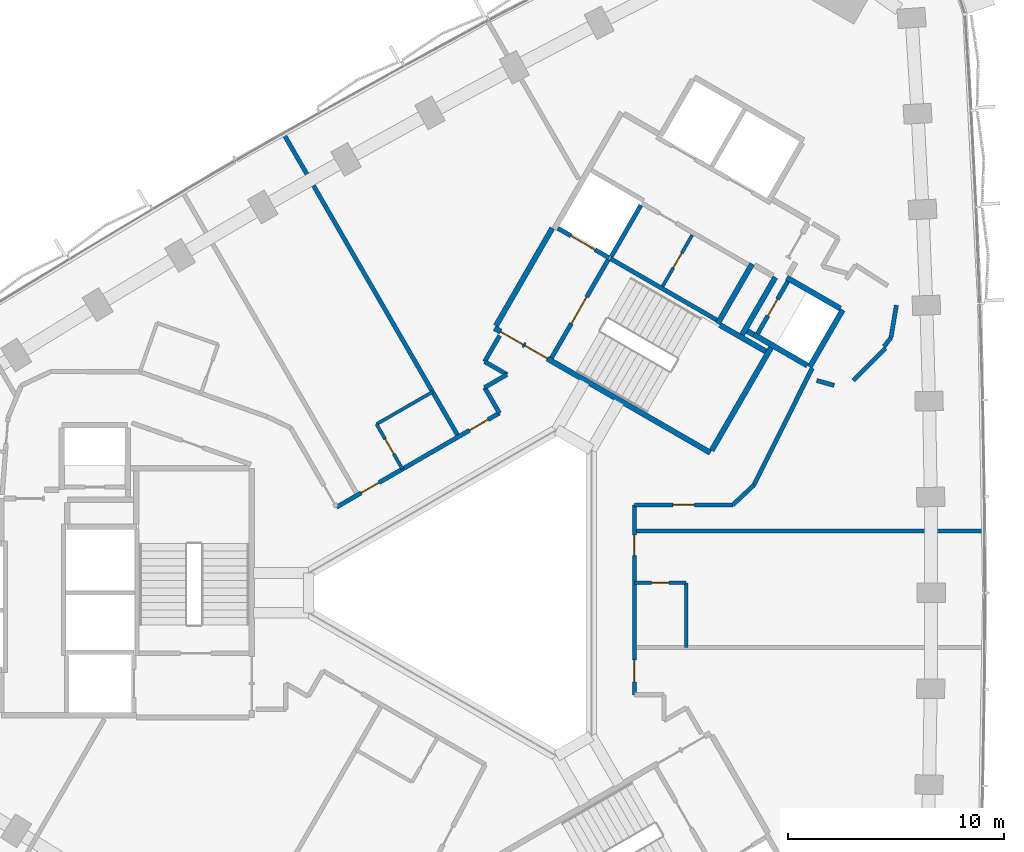
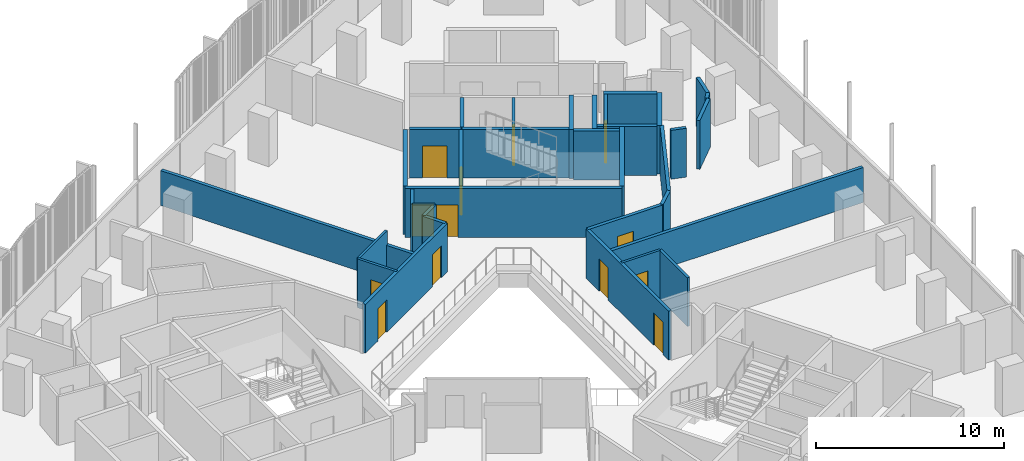
# One storey, part 10 of 15: 35 walls, 13 doors, 13 openings.
"""IFC4 building model written with IfcOpenShell, lengths in metres."""

from ifc_helpers import new_model, si_unit, direction, frame, frame_2d, origin, place, context, subcontext, project, spatial, rectangle, extrude, material, layer, layer_set, type_object, element, fill, save


model = new_model("IFC4")

# Units and contexts
model_context = context("Model", 3, precision=1e-05, world=origin(), true_north=direction((0.0, 1.0)))
body_context = subcontext(model_context, "Body", "Model", "MODEL_VIEW")
ifc_project = project(units=[si_unit("LENGTHUNIT", "METRE"), si_unit("AREAUNIT", "SQUARE_METRE"), si_unit("VOLUMEUNIT", "CUBIC_METRE"), si_unit("PLANEANGLEUNIT", "RADIAN"), si_unit("MASSUNIT", "GRAM", prefix="KILO")], contexts=[model_context])

# Site, building, storey
site_placement = place(None, origin())
site = spatial("IfcSite", under=ifc_project, at=site_placement, CompositionType="ELEMENT")
building_placement = place(site_placement, origin())
building = spatial("IfcBuilding", under=site, at=building_placement, Name="Tamra Quay Hotel Tower", CompositionType="ELEMENT")
storey_placement = place(building_placement, frame((0.0, 0.0, 90.199951171875)))
storey = spatial("IfcBuildingStorey", under=building, at=storey_placement, Name="L21", CompositionType="ELEMENT", Elevation=90.199951171875)

# Wall
ifc_material_1 = material(Name="Concrete M70", Category="concrete")
ifc_layer_1 = layer(ifc_material_1, 0.199951171875)
ifc_layer_set_1 = layer_set([ifc_layer_1], Name="Concrete M70 core wall 200")
wall_type_1 = type_object("IfcWallType", Name="Concrete M70 core wall 200", PredefinedType="SHEAR", material=ifc_layer_set_1)
wall_1_placement = place(storey_placement, frame((5.774658203125, 15.501953125, 0.0), z_axis=(0.0, 0.0, 1.0), x_axis=(0.866020080793, -0.500009219579, 0.0)))
element("IfcWall", 1, at=wall_1_placement, inside=storey, type_object=wall_type_1, Name="CW2", PredefinedType="SHEAR", context=body_context, shape_type="SweptSolid", body=[
    extrude(rectangle(XDim=5.69921875, YDim=0.199951171875, at=frame_2d((2.849609375, 0.0))), origin(), (0.0, 0.0, 1.0), 3.175048828125),
])

# Wall, opening, door
wall_2_placement = place(storey_placement, frame((3.056640625, 10.89453125, 0.0), z_axis=(0.0, 0.0, 1.0), x_axis=(0.499989418164, 0.866031513124, 0.0)))
wall_2 = element("IfcWall", 2, at=wall_2_placement, inside=storey, type_object=wall_type_1, Name="CW2", PredefinedType="SHEAR", context=body_context, shape_type="SweptSolid", body=[
    extrude(rectangle(XDim=5.2509765625, YDim=0.199951171875, at=frame_2d((2.62548828125, 0.0))), origin(), (0.0, 0.0, 1.0), 3.175048828125),
])
opening_1_placement = place(wall_2_placement, frame((1.84912109375, 0.0, 0.0)))
opening_1 = element("IfcOpeningElement", 3, at=opening_1_placement, cuts=wall_2, Name="Opening FD2", PredefinedType="OPENING", context=body_context, shape_type="SweptSolid", body=[
    extrude(rectangle(XDim=1.39990234375, YDim=2.10009765625, at=frame_2d((0.699951171875, 1.050048828125))), frame((0.0, 0.10986328125, 0.0), z_axis=(0.0, -1.0, 0.0), x_axis=(1.0, 0.0, 0.0)), (0.0, 0.0, 1.0), 0.219970703125),
])
ifc_material_2 = material(Name="Core door FD2 1400x2100 RH")
door_type_1 = type_object("IfcDoorType", Name="Core door FD2 1400x2100 RH", OperationType="NOTDEFINED", PredefinedType="DOOR", material=ifc_material_2)
door_1_placement = place(opening_1_placement, origin())
door_1 = element("IfcDoor", 4, at=door_1_placement, inside=storey, type_object=door_type_1, Name="FD2", OperationType="SINGLE_SWING_RIGHT", OverallHeight=2.10009765625, OverallWidth=1.39990234375, PredefinedType="DOOR", context=body_context, shape_type="SweptSolid", body=[
    extrude(rectangle(XDim=1.39990234375, YDim=2.10009765625, at=frame_2d((0.699951171875, 1.050048828125))), frame((0.0, 0.02490234375, 0.0), z_axis=(0.0, -1.0, 0.0), x_axis=(1.0, 0.0, 0.0)), (0.0, 0.0, 1.0), 0.050048828125),
])
fill(opening_1, door_1)

wall_3_placement = place(storey_placement, frame((14.0078125, 14.442138671875, 0.0), z_axis=(0.0, 0.0, 1.0), x_axis=(-0.499986818241, -0.866033014143, 0.0)))
wall_3 = element("IfcWall", 5, at=wall_3_placement, inside=storey, type_object=wall_type_1, Name="CW2", PredefinedType="SHEAR", context=body_context, shape_type="SweptSolid", body=[
    extrude(rectangle(XDim=2.7978515625, YDim=0.199951171875, at=frame_2d((1.39892578125, 0.0))), origin(), (0.0, 0.0, 1.0), 3.175048828125),
])
opening_2_placement = place(wall_3_placement, frame((0.948974609375, 0.0, 0.0)))
opening_2 = element("IfcOpeningElement", 6, at=opening_2_placement, cuts=wall_3, Name="Opening D1", PredefinedType="OPENING", context=body_context, shape_type="SweptSolid", body=[
    extrude(rectangle(XDim=0.89990234375, YDim=2.10009765625, at=frame_2d((0.449951171875, 1.050048828125))), frame((0.0, 0.10986328125, 0.0), z_axis=(0.0, -1.0, 0.0), x_axis=(1.0, 0.0, 0.0)), (0.0, 0.0, 1.0), 0.219970703125),
])
ifc_material_3 = material(Name="Core door D1 900x2100 RH")
door_type_2 = type_object("IfcDoorType", Name="Core door D1 900x2100 RH", OperationType="NOTDEFINED", PredefinedType="DOOR", material=ifc_material_3)
door_2_placement = place(opening_2_placement, origin())
door_2 = element("IfcDoor", 7, at=door_2_placement, inside=storey, type_object=door_type_2, Name="D1", OperationType="SINGLE_SWING_RIGHT", OverallHeight=2.10009765625, OverallWidth=0.89990234375, PredefinedType="DOOR", context=body_context, shape_type="SweptSolid", body=[
    extrude(rectangle(XDim=0.89990234375, YDim=2.10009765625, at=frame_2d((0.449951171875, 1.050048828125))), frame((0.0, 0.02490234375, 0.0), z_axis=(0.0, -1.0, 0.0), x_axis=(1.0, 0.0, 0.0)), (0.0, 0.0, 1.0), 0.050048828125),
])
fill(opening_2, door_2)

# Wall
wall_4_placement = place(storey_placement, frame((7.199462890625, 17.969970703125, 0.0), z_axis=(0.0, 0.0, 1.0), x_axis=(-0.499968400327, -0.866043647095, 0.0)))
element("IfcWall", 8, at=wall_4_placement, inside=storey, type_object=wall_type_1, Name="CW2", PredefinedType="SHEAR", context=body_context, shape_type="SweptSolid", body=[
    extrude(rectangle(XDim=2.749755859375, YDim=0.199951171875, at=frame_2d((1.375, 0.0))), origin(), (0.0, 0.0, 1.0), 3.175048828125),
])

# Wall, opening, door
wall_5_placement = place(storey_placement, frame((5.72509765625, 15.530517578125, 0.0), z_axis=(0.0, 0.0, 1.0), x_axis=(-0.866037306777, 0.499979382845, 0.0)))
wall_5 = element("IfcWall", 9, at=wall_5_placement, inside=storey, type_object=wall_type_1, Name="CW2", PredefinedType="SHEAR", context=body_context, shape_type="SweptSolid", body=[
    extrude(rectangle(XDim=2.74169921875, YDim=0.199951171875, at=frame_2d((1.370849609375, 0.0))), origin(), (0.0, 0.0, 1.0), 3.175048828125),
])
opening_3_placement = place(wall_5_placement, frame((0.742919921875, 0.0, 0.0)))
opening_3 = element("IfcOpeningElement", 10, at=opening_3_placement, cuts=wall_5, Name="Opening LD", PredefinedType="OPENING", context=body_context, shape_type="SweptSolid", body=[
    extrude(rectangle(XDim=1.300048828125, YDim=2.10009765625, at=frame_2d((0.64990234375, 1.050048828125))), frame((0.0, 0.10986328125, 0.0), z_axis=(0.0, -1.0, 0.0), x_axis=(1.0, 0.0, 0.0)), (0.0, 0.0, 1.0), 0.219970703125),
])
ifc_material_4 = material(Name="Landing door LD 1300 sliding to right")
door_type_3 = type_object("IfcDoorType", Name="Landing door LD 1300 sliding to right", OperationType="NOTDEFINED", PredefinedType="DOOR", material=ifc_material_4)
door_3_placement = place(opening_3_placement, origin())
door_3 = element("IfcDoor", 11, at=door_3_placement, inside=storey, type_object=door_type_3, Name="LD", OperationType="SLIDING_TO_RIGHT", OverallHeight=2.10009765625, OverallWidth=1.300048828125, PredefinedType="DOOR", context=body_context, shape_type="SweptSolid", body=[
    extrude(rectangle(XDim=1.300048828125, YDim=2.10009765625, at=frame_2d((0.64990234375, 1.050048828125))), frame((0.0, 0.02490234375, 0.0), z_axis=(0.0, -1.0, 0.0), x_axis=(1.0, 0.0, 0.0)), (0.0, 0.0, 1.0), 0.050048828125),
])
fill(opening_3, door_3)

# Wall, openings, doors
ifc_layer_2 = layer(ifc_material_1, 0.25)
ifc_layer_set_2 = layer_set([ifc_layer_2], Name="Concrete M70 core wall 250")
wall_type_2 = type_object("IfcWallType", Name="Concrete M70 core wall 250", PredefinedType="SHEAR", material=ifc_layer_set_2)
wall_6_placement = place(storey_placement, frame((10.419921875, 6.497802734375, 0.0), z_axis=(0.0, 0.0, 1.0), x_axis=(-0.866021906294, 0.500006057782, 0.0)))
wall_6 = element("IfcWall", 12, at=wall_6_placement, inside=storey, type_object=wall_type_2, Name="CW1", PredefinedType="SHEAR", context=body_context, shape_type="SweptSolid", body=[
    extrude(rectangle(XDim=11.550048828125, YDim=0.25, at=frame_2d((5.77490234375, 0.0))), origin(), (0.0, 0.0, 1.0), 3.175048828125),
])
opening_4_placement = place(wall_6_placement, frame((10.02490234375, 0.0, 0.0)))
opening_4 = element("IfcOpeningElement", 13, at=opening_4_placement, cuts=wall_6, Name="Opening FD1", PredefinedType="OPENING", context=body_context, shape_type="SweptSolid", body=[
    extrude(rectangle(XDim=1.199951171875, YDim=2.10009765625, at=frame_2d((0.60009765625, 1.050048828125))), frame((0.0, 0.135009765625, 0.0), z_axis=(0.0, -1.0, 0.0), x_axis=(1.0, 0.0, 0.0)), (0.0, 0.0, 1.0), 0.27001953125),
])
opening_5_placement = place(wall_6_placement, frame((8.724853515625, 0.0, 0.0)))
opening_5 = element("IfcOpeningElement", 14, at=opening_5_placement, cuts=wall_6, Name="Opening FD1", PredefinedType="OPENING", context=body_context, shape_type="SweptSolid", body=[
    extrude(rectangle(XDim=1.199951171875, YDim=2.10009765625, at=frame_2d((0.60009765625, 1.050048828125))), frame((0.0, 0.135009765625, 0.0), z_axis=(0.0, -1.0, 0.0), x_axis=(1.0, 0.0, 0.0)), (0.0, 0.0, 1.0), 0.27001953125),
])
ifc_material_5 = material(Name="Core door FD1 1200x2100 LH")
door_type_4 = type_object("IfcDoorType", Name="Core door FD1 1200x2100 LH", OperationType="NOTDEFINED", PredefinedType="DOOR", material=ifc_material_5)
door_4_placement = place(opening_4_placement, origin())
door_4 = element("IfcDoor", 15, at=door_4_placement, inside=storey, type_object=door_type_4, Name="FD1", OperationType="SINGLE_SWING_LEFT", OverallHeight=2.10009765625, OverallWidth=1.199951171875, PredefinedType="DOOR", context=body_context, shape_type="SweptSolid", body=[
    extrude(rectangle(XDim=1.199951171875, YDim=2.10009765625, at=frame_2d((0.60009765625, 1.050048828125))), frame((0.0, 0.02490234375, 0.0), z_axis=(0.0, -1.0, 0.0), x_axis=(1.0, 0.0, 0.0)), (0.0, 0.0, 1.0), 0.050048828125),
])
fill(opening_4, door_4)
ifc_material_6 = material(Name="Core door FD1 1200x2100 RH")
door_type_5 = type_object("IfcDoorType", Name="Core door FD1 1200x2100 RH", OperationType="NOTDEFINED", PredefinedType="DOOR", material=ifc_material_6)
door_5_placement = place(opening_5_placement, origin())
door_5 = element("IfcDoor", 16, at=door_5_placement, inside=storey, type_object=door_type_5, Name="FD1", OperationType="SINGLE_SWING_RIGHT", OverallHeight=2.10009765625, OverallWidth=1.199951171875, PredefinedType="DOOR", context=body_context, shape_type="SweptSolid", body=[
    extrude(rectangle(XDim=1.199951171875, YDim=2.10009765625, at=frame_2d((0.60009765625, 1.050048828125))), frame((0.0, 0.02490234375, 0.0), z_axis=(0.0, -1.0, 0.0), x_axis=(1.0, 0.0, 0.0)), (0.0, 0.0, 1.0), 0.050048828125),
])
fill(opening_5, door_5)

# Walls
wall_7_placement = place(storey_placement, frame((0.47998046875, 12.38134765625, 0.0), z_axis=(0.0, 0.0, 1.0), x_axis=(0.49999885962, 0.866026062182, 0.0)))
element("IfcWall", 17, at=wall_7_placement, inside=storey, type_object=wall_type_2, Name="CW1", PredefinedType="SHEAR", context=body_context, shape_type="SweptSolid", body=[
    extrude(rectangle(XDim=5.224609375, YDim=0.25, at=frame_2d((2.6123046875, 0.0))), origin(), (0.0, 0.0, 1.0), 3.175048828125),
])
wall_8_placement = place(storey_placement, frame((13.237548828125, 11.3779296875, 0.0), z_axis=(0.0, 0.0, 1.0), x_axis=(-0.500008851346, -0.866020293397, 0.0)))
element("IfcWall", 18, at=wall_8_placement, inside=storey, type_object=wall_type_2, Name="CW1", PredefinedType="SHEAR", context=body_context, shape_type="SweptSolid", body=[
    extrude(rectangle(XDim=5.509765625, YDim=0.25, at=frame_2d((2.7548828125, 0.0))), origin(), (0.0, 0.0, 1.0), 3.175048828125),
])
wall_9_placement = place(storey_placement, frame((12.356689453125, 15.25244140625, 0.0), z_axis=(0.0, 0.0, 1.0), x_axis=(-0.500028443584, -0.866008981251, 0.0)))
element("IfcWall", 19, at=wall_9_placement, inside=storey, type_object=wall_type_2, Name="CW1", PredefinedType="SHEAR", context=body_context, shape_type="SweptSolid", body=[
    extrude(rectangle(XDim=3.199951171875, YDim=0.25, at=frame_2d((1.60009765625, 0.0))), origin(), (0.0, 0.0, 1.0), 3.175048828125),
])
wall_10_placement = place(storey_placement, frame((16.552001953125, 13.118896484375, 0.0), z_axis=(0.0, 0.0, 1.0), x_axis=(-0.499978833458, -0.866037623948, 0.0)))
element("IfcWall", 20, at=wall_10_placement, inside=storey, type_object=wall_type_2, Name="CW1", PredefinedType="SHEAR", context=body_context, shape_type="SweptSolid", body=[
    extrude(rectangle(XDim=3.050048828125, YDim=0.25, at=frame_2d((1.52490234375, 0.0))), origin(), (0.0, 0.0, 1.0), 3.175048828125),
])
wall_11_placement = place(storey_placement, frame((14.91845703125, 10.540283203125, 0.0), z_axis=(0.0, 0.0, 1.0), x_axis=(-0.866063538972, 0.499933942099, 0.0)))
element("IfcWall", 21, at=wall_11_placement, inside=storey, type_object=wall_type_2, Name="CW1", PredefinedType="SHEAR", context=body_context, shape_type="SweptSolid", body=[
    extrude(rectangle(XDim=2.86474609375, YDim=0.25, at=frame_2d((1.432373046875, 0.0))), origin(), (0.0, 0.0, 1.0), 3.175048828125),
])
wall_12_placement = place(storey_placement, frame((13.962646484375, 14.61376953125, 0.0), z_axis=(0.0, 0.0, 1.0), x_axis=(0.866042235819, -0.499970844928, 0.0)))
element("IfcWall", 22, at=wall_12_placement, inside=storey, type_object=wall_type_2, Name="CW1", PredefinedType="SHEAR", context=body_context, shape_type="SweptSolid", body=[
    extrude(rectangle(XDim=2.864501953125, YDim=0.25, at=frame_2d((1.43212890625, 0.0))), origin(), (0.0, 0.0, 1.0), 3.175048828125),
])
wall_13_placement = place(storey_placement, frame((11.887939453125, 11.960693359375, 0.0), z_axis=(0.0, 0.0, 1.0), x_axis=(0.500003324108, 0.866023484601, 0.0)))
element("IfcWall", 23, at=wall_13_placement, inside=storey, type_object=wall_type_2, Name="CW1", PredefinedType="SHEAR", context=body_context, shape_type="SweptSolid", body=[
    extrude(rectangle(XDim=3.0849609375, YDim=0.25, at=frame_2d((1.54248046875, 0.0))), origin(), (0.0, 0.0, 1.0), 3.175048828125),
])
wall_14_placement = place(storey_placement, frame((10.865234375, 12.41845703125, 0.0), z_axis=(0.0, 0.0, 1.0), x_axis=(0.866026229868, -0.499998569178, 0.0)))
element("IfcWall", 24, at=wall_14_placement, inside=storey, type_object=wall_type_2, Name="CW1", PredefinedType="SHEAR", context=body_context, shape_type="SweptSolid", body=[
    extrude(rectangle(XDim=2.44921875, YDim=0.25, at=frame_2d((1.224609375, 0.0))), origin(), (0.0, 0.0, 1.0), 3.175048828125),
])
wall_15_placement = place(storey_placement, frame((12.4326171875, 11.9638671875, 0.0), z_axis=(0.0, 0.0, 1.0), x_axis=(-0.866055875208, 0.499947218231, 0.0)))
element("IfcWall", 25, at=wall_15_placement, inside=storey, type_object=wall_type_2, Name="CW1", PredefinedType="SHEAR", context=body_context, shape_type="SweptSolid", body=[
    extrude(rectangle(XDim=0.3447265625, YDim=0.25, at=frame_2d((0.17236328125, 0.0))), origin(), (0.0, 0.0, 1.0), 3.175048828125),
])

# Wall, opening, door
ifc_material_7 = material(Name="Blockwork", Category="masonry")
ifc_layer_3 = layer(ifc_material_7, 0.14990234375)
ifc_layer_set_3 = layer_set([ifc_layer_3], Name="Core partition block 150")
wall_type_3 = type_object("IfcWallType", Name="Core partition block 150", PredefinedType="PARTITIONING", material=ifc_layer_set_3)
wall_16_placement = place(storey_placement, frame((8.20654296875, 14.214111328125, 0.0), z_axis=(0.0, 0.0, 1.0), x_axis=(0.499922376475, 0.866070215109, 0.0)))
wall_16 = element("IfcWall", 26, at=wall_16_placement, inside=storey, type_object=wall_type_3, Name="CP1", PredefinedType="PARTITIONING", context=body_context, shape_type="SweptSolid", body=[
    extrude(rectangle(XDim=2.74853515625, YDim=0.14990234375, at=frame_2d((1.374267578125, 0.0))), origin(), (0.0, 0.0, 1.0), 3.175048828125),
])
opening_6_placement = place(wall_16_placement, frame((0.97412109375, 0.0, 0.0)))
opening_6 = element("IfcOpeningElement", 27, at=opening_6_placement, cuts=wall_16, Name="Opening D3", PredefinedType="OPENING", context=body_context, shape_type="SweptSolid", body=[
    extrude(rectangle(XDim=0.800048828125, YDim=2.10009765625, at=frame_2d((0.39990234375, 1.050048828125))), frame((0.0, 0.0849609375, 0.0), z_axis=(0.0, -1.0, 0.0), x_axis=(1.0, 0.0, 0.0)), (0.0, 0.0, 1.0), 0.169921875),
])
ifc_material_8 = material(Name="Core door D3 800x2100 LH")
door_type_6 = type_object("IfcDoorType", Name="Core door D3 800x2100 LH", OperationType="NOTDEFINED", PredefinedType="DOOR", material=ifc_material_8)
door_6_placement = place(opening_6_placement, origin())
door_6 = element("IfcDoor", 28, at=door_6_placement, inside=storey, type_object=door_type_6, Name="D3", OperationType="SINGLE_SWING_LEFT", OverallHeight=2.10009765625, OverallWidth=0.800048828125, PredefinedType="DOOR", context=body_context, shape_type="SweptSolid", body=[
    extrude(rectangle(XDim=0.800048828125, YDim=2.10009765625, at=frame_2d((0.39990234375, 1.050048828125))), frame((0.0, 0.02490234375, 0.0), z_axis=(0.0, -1.0, 0.0), x_axis=(1.0, 0.0, 0.0)), (0.0, 0.0, 1.0), 0.050048828125),
])
fill(opening_6, door_6)

# Wall, openings, doors
ifc_material_9 = material(Name="Partition corridor wall")
ifc_layer_4 = layer(ifc_material_9, 0.199951171875)
ifc_layer_set_4 = layer_set([ifc_layer_4], Name="Partition corridor wall")
wall_type_4 = type_object("IfcWallType", Name="Partition corridor wall", PredefinedType="PARTITIONING", material=ifc_layer_set_4)
wall_17_placement = place(storey_placement, frame((-6.909912109375, 3.975341796875, 0.0), z_axis=(0.0, 0.0, 1.0), x_axis=(0.865912245405, 0.500195944863, 0.0)))
wall_17 = element("IfcWall", 29, at=wall_17_placement, inside=storey, type_object=wall_type_4, Name="W-C", PredefinedType="PARTITIONING", context=body_context, shape_type="SweptSolid", body=[
    extrude(rectangle(XDim=8.7177734375, YDim=0.199951171875, at=frame_2d((4.35888671875, 0.0))), origin(), (0.0, 0.0, 1.0), 3.175048828125),
])
opening_7_placement = place(wall_17_placement, frame((7.117431640625, 0.0, 0.0)))
opening_7 = element("IfcOpeningElement", 30, at=opening_7_placement, cuts=wall_17, Name="Opening L21-D005", PredefinedType="OPENING", context=body_context, shape_type="SweptSolid", body=[
    extrude(rectangle(XDim=1.0, YDim=2.10009765625, at=frame_2d((0.5, 1.050048828125))), frame((0.0, 0.10986328125, 0.0), z_axis=(0.0, -1.0, 0.0), x_axis=(1.0, 0.0, 0.0)), (0.0, 0.0, 1.0), 0.219970703125),
])
opening_8_placement = place(wall_17_placement, frame((1.31689453125, 0.0, 0.0)))
opening_8 = element("IfcOpeningElement", 31, at=opening_8_placement, cuts=wall_17, Name="Opening L21-D006", PredefinedType="OPENING", context=body_context, shape_type="SweptSolid", body=[
    extrude(rectangle(XDim=0.949951171875, YDim=2.10009765625, at=frame_2d((0.47509765625, 1.050048828125))), frame((0.0, 0.10986328125, 0.0), z_axis=(0.0, -1.0, 0.0), x_axis=(1.0, 0.0, 0.0)), (0.0, 0.0, 1.0), 0.219970703125),
])
ifc_material_10 = material(Name="Door guest room 1000x2100")
door_type_7 = type_object("IfcDoorType", Name="Door guest room 1000x2100", OperationType="NOTDEFINED", PredefinedType="DOOR", material=ifc_material_10)
door_7_placement = place(opening_7_placement, origin())
door_7 = element("IfcDoor", 32, at=door_7_placement, inside=storey, type_object=door_type_7, Name="L21-D005", OperationType="SINGLE_SWING_LEFT", OverallHeight=2.10009765625, OverallWidth=1.0, PredefinedType="DOOR", context=body_context, shape_type="SweptSolid", body=[
    extrude(rectangle(XDim=1.0, YDim=2.10009765625, at=frame_2d((0.5, 1.050048828125))), frame((0.0, 0.02490234375, 0.0), z_axis=(0.0, -1.0, 0.0), x_axis=(1.0, 0.0, 0.0)), (0.0, 0.0, 1.0), 0.050048828125),
])
fill(opening_7, door_7)
ifc_material_11 = material(Name="Door guest room 950x2100")
door_type_8 = type_object("IfcDoorType", Name="Door guest room 950x2100", OperationType="NOTDEFINED", PredefinedType="DOOR", material=ifc_material_11)
door_8_placement = place(opening_8_placement, origin())
door_8 = element("IfcDoor", 33, at=door_8_placement, inside=storey, type_object=door_type_8, Name="L21-D006", OperationType="SINGLE_SWING_LEFT", OverallHeight=2.10009765625, OverallWidth=0.949951171875, PredefinedType="DOOR", context=body_context, shape_type="SweptSolid", body=[
    extrude(rectangle(XDim=0.949951171875, YDim=2.10009765625, at=frame_2d((0.47509765625, 1.050048828125))), frame((0.0, 0.02490234375, 0.0), z_axis=(0.0, -1.0, 0.0), x_axis=(1.0, 0.0, 0.0)), (0.0, 0.0, 1.0), 0.050048828125),
])
fill(opening_8, door_8)

# Walls
wall_18_placement = place(storey_placement, frame((-0.044921875, 9.52099609375, 0.0), z_axis=(0.0, 0.0, 1.0), x_axis=(0.499804837697, -0.866138051476, 0.0)))
element("IfcWall", 34, at=wall_18_placement, inside=storey, type_object=wall_type_4, Name="W-C", PredefinedType="PARTITIONING", context=body_context, shape_type="SweptSolid", body=[
    extrude(rectangle(XDim=1.3681640625, YDim=0.199951171875, at=frame_2d((0.68408203125, 0.0))), origin(), (0.0, 0.0, 1.0), 3.175048828125),
])
wall_19_placement = place(storey_placement, frame((-0.044921875, 9.52197265625, 0.0), z_axis=(0.0, 0.0, 1.0), x_axis=(0.86625675314, 0.499599076899, 0.0)))
element("IfcWall", 35, at=wall_19_placement, inside=storey, type_object=wall_type_4, Name="W-C", PredefinedType="PARTITIONING", context=body_context, shape_type="SweptSolid", body=[
    extrude(rectangle(XDim=1.19921875, YDim=0.199951171875, at=frame_2d((0.599609375, 0.0))), origin(), (0.0, 0.0, 1.0), 3.175048828125),
])
wall_20_placement = place(storey_placement, frame((-0.044921875, 10.721923828125, 0.0), z_axis=(0.0, 0.0, 1.0), x_axis=(0.500107785535, 0.865963164833, 0.0)))
element("IfcWall", 36, at=wall_20_placement, inside=storey, type_object=wall_type_4, Name="W-C", PredefinedType="PARTITIONING", context=body_context, shape_type="SweptSolid", body=[
    extrude(rectangle(XDim=1.389404296875, YDim=0.199951171875, at=frame_2d((0.69482421875, 0.0))), origin(), (0.0, 0.0, 1.0), 3.175048828125),
])
wall_21_placement = place(storey_placement, frame((-0.044921875, 10.720947265625, 0.0), z_axis=(0.0, 0.0, 1.0), x_axis=(0.865992388649, -0.500057179532, 0.0)))
element("IfcWall", 37, at=wall_21_placement, inside=storey, type_object=wall_type_4, Name="W-C", PredefinedType="PARTITIONING", context=body_context, shape_type="SweptSolid", body=[
    extrude(rectangle(XDim=1.199462890625, YDim=0.199951171875, at=frame_2d((0.599609375, 0.0))), origin(), (0.0, 0.0, 1.0), 3.175048828125),
])

# Wall, openings, doors
wall_22_placement = place(storey_placement, frame((6.89990234375, -4.720947265625, 0.0), z_axis=(0.0, 0.0, 1.0), x_axis=(0.0, 1.0, 0.0)))
wall_22 = element("IfcWall", 38, at=wall_22_placement, inside=storey, type_object=wall_type_4, Name="W-C", PredefinedType="PARTITIONING", context=body_context, shape_type="SweptSolid", body=[
    extrude(rectangle(XDim=8.798828125, YDim=0.199951171875, at=frame_2d((4.3994140625, 0.0))), origin(), (0.0, 0.0, 1.0), 3.175048828125),
])
opening_9_placement = place(wall_22_placement, frame((0.6005859375, 0.0, 0.0)))
opening_9 = element("IfcOpeningElement", 39, at=opening_9_placement, cuts=wall_22, Name="Opening L21-D001", PredefinedType="OPENING", context=body_context, shape_type="SweptSolid", body=[
    extrude(rectangle(XDim=1.0, YDim=2.10009765625, at=frame_2d((0.5, 1.050048828125))), frame((0.0, 0.10986328125, 0.0), z_axis=(0.0, -1.0, 0.0), x_axis=(1.0, 0.0, 0.0)), (0.0, 0.0, 1.0), 0.219970703125),
])
opening_10_placement = place(wall_22_placement, frame((6.450927734375, 0.0, 0.0)))
opening_10 = element("IfcOpeningElement", 40, at=opening_10_placement, cuts=wall_22, Name="Opening L21-D002", PredefinedType="OPENING", context=body_context, shape_type="SweptSolid", body=[
    extrude(rectangle(XDim=0.949951171875, YDim=2.10009765625, at=frame_2d((0.47509765625, 1.050048828125))), frame((0.0, 0.10986328125, 0.0), z_axis=(0.0, -1.0, 0.0), x_axis=(1.0, 0.0, 0.0)), (0.0, 0.0, 1.0), 0.219970703125),
])
door_9_placement = place(opening_9_placement, frame((1.0, 0.0, 0.0), z_axis=(0.0, 0.0, 1.0), x_axis=(-1.0, 0.0, 0.0)))
door_9 = element("IfcDoor", 41, at=door_9_placement, inside=storey, type_object=door_type_7, Name="L21-D001", OperationType="SINGLE_SWING_LEFT", OverallHeight=2.10009765625, OverallWidth=1.0, PredefinedType="DOOR", context=body_context, shape_type="SweptSolid", body=[
    extrude(rectangle(XDim=1.0, YDim=2.10009765625, at=frame_2d((0.5, 1.050048828125))), frame((0.0, 0.02490234375, 0.0), z_axis=(0.0, -1.0, 0.0), x_axis=(1.0, 0.0, 0.0)), (0.0, 0.0, 1.0), 0.050048828125),
])
fill(opening_9, door_9)
door_10_placement = place(opening_10_placement, frame((0.949951171875, 0.0, 0.0), z_axis=(0.0, 0.0, 1.0), x_axis=(-1.0, 0.0, 0.0)))
door_10 = element("IfcDoor", 42, at=door_10_placement, inside=storey, type_object=door_type_8, Name="L21-D002", OperationType="SINGLE_SWING_LEFT", OverallHeight=2.10009765625, OverallWidth=0.949951171875, PredefinedType="DOOR", context=body_context, shape_type="SweptSolid", body=[
    extrude(rectangle(XDim=0.949951171875, YDim=2.10009765625, at=frame_2d((0.47509765625, 1.050048828125))), frame((0.0, 0.02490234375, 0.0), z_axis=(0.0, -1.0, 0.0), x_axis=(1.0, 0.0, 0.0)), (0.0, 0.0, 1.0), 0.050048828125),
])
fill(opening_10, door_10)

# Wall, opening, door
wall_23_placement = place(storey_placement, frame((6.89990234375, 4.077880859375, 0.0), z_axis=(0.0, 0.0, 1.0), x_axis=(1.0, 0.0, 0.0)))
wall_23 = element("IfcWall", 43, at=wall_23_placement, inside=storey, type_object=wall_type_4, Name="W-C", PredefinedType="PARTITIONING", context=body_context, shape_type="SweptSolid", body=[
    extrude(rectangle(XDim=4.55810546875, YDim=0.199951171875, at=frame_2d((2.279052734375, 0.0))), origin(), (0.0, 0.0, 1.0), 3.175048828125),
])
opening_11_placement = place(wall_23_placement, frame((1.779052734375, 0.0, 0.0)))
opening_11 = element("IfcOpeningElement", 44, at=opening_11_placement, cuts=wall_23, Name="Opening L21-D004", PredefinedType="OPENING", context=body_context, shape_type="SweptSolid", body=[
    extrude(rectangle(XDim=1.0, YDim=2.10009765625, at=frame_2d((0.5, 1.050048828125))), frame((0.0, 0.10986328125, 0.0), z_axis=(0.0, -1.0, 0.0), x_axis=(1.0, 0.0, 0.0)), (0.0, 0.0, 1.0), 0.219970703125),
])
door_11_placement = place(opening_11_placement, origin())
door_11 = element("IfcDoor", 45, at=door_11_placement, inside=storey, type_object=door_type_7, Name="L21-D004", OperationType="SINGLE_SWING_LEFT", OverallHeight=2.10009765625, OverallWidth=1.0, PredefinedType="DOOR", context=body_context, shape_type="SweptSolid", body=[
    extrude(rectangle(XDim=1.0, YDim=2.10009765625, at=frame_2d((0.5, 1.050048828125))), frame((0.0, 0.02490234375, 0.0), z_axis=(0.0, -1.0, 0.0), x_axis=(1.0, 0.0, 0.0)), (0.0, 0.0, 1.0), 0.050048828125),
])
fill(opening_11, door_11)

# Walls
wall_24_placement = place(storey_placement, frame((11.4580078125, 4.077880859375, 0.0), z_axis=(0.0, 0.0, 1.0), x_axis=(0.729936032318, 0.683515463412, 0.0)))
element("IfcWall", 46, at=wall_24_placement, inside=storey, type_object=wall_type_4, Name="W-C", PredefinedType="PARTITIONING", context=body_context, shape_type="SweptSolid", body=[
    extrude(rectangle(XDim=1.3359375, YDim=0.199951171875, at=frame_2d((0.66796875, 0.0))), origin(), (0.0, 0.0, 1.0), 3.175048828125),
])
wall_25_placement = place(storey_placement, frame((12.43310546875, 4.991943359375, 0.0), z_axis=(0.0, 0.0, 1.0), x_axis=(0.446086961868, 0.894989621421, 0.0)))
element("IfcWall", 47, at=wall_25_placement, inside=storey, type_object=wall_type_4, Name="W-C", PredefinedType="PARTITIONING", context=body_context, shape_type="SweptSolid", body=[
    extrude(rectangle(XDim=6.069580078125, YDim=0.199951171875, at=frame_2d((3.03466796875, 0.0))), origin(), (0.0, 0.0, 1.0), 3.175048828125),
])
wall_26_placement = place(storey_placement, frame((15.35009765625, 9.846923828125, 0.0), z_axis=(0.0, 0.0, 1.0), x_axis=(0.961699438983, -0.274106163849, 0.0)))
element("IfcWall", 48, at=wall_26_placement, inside=storey, type_object=wall_type_4, Name="W-C", PredefinedType="PARTITIONING", context=body_context, shape_type="SweptSolid", body=[
    extrude(rectangle(XDim=0.839111328125, YDim=0.199951171875, at=frame_2d((0.41943359375, 0.0))), origin(), (0.0, 0.0, 1.0), 3.175048828125),
])
wall_27_placement = place(storey_placement, frame((17.041015625, 9.845947265625, 0.0), z_axis=(0.0, 0.0, 1.0), x_axis=(0.70687649077, 0.707336996627, 0.0)))
element("IfcWall", 49, at=wall_27_placement, inside=storey, type_object=wall_type_4, Name="W-C", PredefinedType="PARTITIONING", context=body_context, shape_type="SweptSolid", body=[
    extrude(rectangle(XDim=2.12060546875, YDim=0.199951171875, at=frame_2d((1.060302734375, 0.0))), origin(), (0.0, 0.0, 1.0), 3.175048828125),
])
wall_28_placement = place(storey_placement, frame((18.791015625, 11.833984375, 0.0), z_axis=(0.0, 0.0, 1.0), x_axis=(0.164294914443, 0.986411263667, 0.0)))
element("IfcWall", 50, at=wall_28_placement, inside=storey, type_object=wall_type_4, Name="W-C", PredefinedType="PARTITIONING", context=body_context, shape_type="SweptSolid", body=[
    extrude(rectangle(XDim=1.521728515625, YDim=0.199951171875, at=frame_2d((0.7607421875, 0.0))), origin(), (0.0, 0.0, 1.0), 3.175048828125),
])
wall_29_placement = place(storey_placement, frame((18.791015625, 11.833984375, 0.0), z_axis=(0.0, 0.0, 1.0), x_axis=(-0.610695554896, -0.791865480514, 0.0)))
element("IfcWall", 51, at=wall_29_placement, inside=storey, type_object=wall_type_4, Name="W-C", PredefinedType="PARTITIONING", context=body_context, shape_type="SweptSolid", body=[
    extrude(rectangle(XDim=0.52685546875, YDim=0.199951171875, at=frame_2d((0.263427734375, 0.0))), origin(), (0.0, 0.0, 1.0), 3.175048828125),
])

# Wall, opening, door
ifc_material_12 = material(Name="Partition en-suite wall")
ifc_layer_5 = layer(ifc_material_12, 0.14990234375)
ifc_layer_set_5 = layer_set([ifc_layer_5], Name="Partition en-suite wall")
wall_type_5 = type_object("IfcWallType", Name="Partition en-suite wall", PredefinedType="PARTITIONING", material=ifc_layer_set_5)
wall_30_placement = place(storey_placement, frame((-5.054931640625, 7.821044921875, 0.0), z_axis=(0.0, 0.0, 1.0), x_axis=(0.499869187296, -0.866100915363, 0.0)))
wall_30 = element("IfcWall", 52, at=wall_30_placement, inside=storey, type_object=wall_type_5, Name="W-E", PredefinedType="PARTITIONING", context=body_context, shape_type="SweptSolid", body=[
    extrude(rectangle(XDim=2.400634765625, YDim=0.14990234375, at=frame_2d((1.2001953125, 0.0))), origin(), (0.0, 0.0, 1.0), 3.175048828125),
])
opening_12_placement = place(wall_30_placement, frame((0.80029296875, 0.0, 0.0)))
opening_12 = element("IfcOpeningElement", 53, at=opening_12_placement, cuts=wall_30, Name="Opening L21-D007", PredefinedType="OPENING", context=body_context, shape_type="SweptSolid", body=[
    extrude(rectangle(XDim=0.800048828125, YDim=2.10009765625, at=frame_2d((0.39990234375, 1.050048828125))), frame((0.0, 0.0849609375, 0.0), z_axis=(0.0, -1.0, 0.0), x_axis=(1.0, 0.0, 0.0)), (0.0, 0.0, 1.0), 0.169921875),
])
ifc_material_13 = material(Name="Door en-suite 800x2100")
door_type_9 = type_object("IfcDoorType", Name="Door en-suite 800x2100", OperationType="NOTDEFINED", PredefinedType="DOOR", material=ifc_material_13)
door_12_placement = place(opening_12_placement, origin())
door_12 = element("IfcDoor", 54, at=door_12_placement, inside=storey, type_object=door_type_9, Name="L21-D007", OperationType="SINGLE_SWING_LEFT", OverallHeight=2.10009765625, OverallWidth=0.800048828125, PredefinedType="DOOR", context=body_context, shape_type="SweptSolid", body=[
    extrude(rectangle(XDim=0.800048828125, YDim=2.10009765625, at=frame_2d((0.39990234375, 1.050048828125))), frame((0.0, 0.02490234375, 0.0), z_axis=(0.0, -1.0, 0.0), x_axis=(1.0, 0.0, 0.0)), (0.0, 0.0, 1.0), 0.050048828125),
])
fill(opening_12, door_12)

# Wall
wall_31_placement = place(storey_placement, frame((-5.054931640625, 7.821044921875, 0.0), z_axis=(0.0, 0.0, 1.0), x_axis=(0.86615170604, 0.49978117424, 0.0)))
element("IfcWall", 55, at=wall_31_placement, inside=storey, type_object=wall_type_5, Name="W-E", PredefinedType="PARTITIONING", context=body_context, shape_type="SweptSolid", body=[
    extrude(rectangle(XDim=2.999267578125, YDim=0.14990234375, at=frame_2d((1.49951171875, 0.0))), origin(), (0.0, 0.0, 1.0), 3.175048828125),
])

# Wall, opening, door
wall_32_placement = place(storey_placement, frame((6.89990234375, 0.468017578125, 0.0), z_axis=(0.0, 0.0, 1.0), x_axis=(1.0, 0.0, 0.0)))
wall_32 = element("IfcWall", 56, at=wall_32_placement, inside=storey, type_object=wall_type_5, Name="W-E", PredefinedType="PARTITIONING", context=body_context, shape_type="SweptSolid", body=[
    extrude(rectangle(XDim=2.400146484375, YDim=0.14990234375, at=frame_2d((1.2001953125, 0.0))), origin(), (0.0, 0.0, 1.0), 3.175048828125),
])
opening_13_placement = place(wall_32_placement, frame((0.800048828125, 0.0, 0.0)))
opening_13 = element("IfcOpeningElement", 57, at=opening_13_placement, cuts=wall_32, Name="Opening L21-D003", PredefinedType="OPENING", context=body_context, shape_type="SweptSolid", body=[
    extrude(rectangle(XDim=0.800048828125, YDim=2.10009765625, at=frame_2d((0.39990234375, 1.050048828125))), frame((0.0, 0.0849609375, 0.0), z_axis=(0.0, -1.0, 0.0), x_axis=(1.0, 0.0, 0.0)), (0.0, 0.0, 1.0), 0.169921875),
])
door_13_placement = place(opening_13_placement, frame((0.800048828125, 0.0, 0.0), z_axis=(0.0, 0.0, 1.0), x_axis=(-1.0, 0.0, 0.0)))
door_13 = element("IfcDoor", 58, at=door_13_placement, inside=storey, type_object=door_type_9, Name="L21-D003", OperationType="SINGLE_SWING_LEFT", OverallHeight=2.10009765625, OverallWidth=0.800048828125, PredefinedType="DOOR", context=body_context, shape_type="SweptSolid", body=[
    extrude(rectangle(XDim=0.800048828125, YDim=2.10009765625, at=frame_2d((0.39990234375, 1.050048828125))), frame((0.0, 0.02490234375, 0.0), z_axis=(0.0, -1.0, 0.0), x_axis=(1.0, 0.0, 0.0)), (0.0, 0.0, 1.0), 0.050048828125),
])
fill(opening_13, door_13)

# Walls
wall_33_placement = place(storey_placement, frame((9.300048828125, -2.531982421875, 0.0), z_axis=(0.0, 0.0, 1.0), x_axis=(0.0, 1.0, 0.0)))
element("IfcWall", 59, at=wall_33_placement, inside=storey, type_object=wall_type_5, Name="W-E", PredefinedType="PARTITIONING", context=body_context, shape_type="SweptSolid", body=[
    extrude(rectangle(XDim=3.0, YDim=0.14990234375, at=frame_2d((1.5, 0.0))), origin(), (0.0, 0.0, 1.0), 3.175048828125),
])
ifc_material_14 = material(Name="Partition party wall")
ifc_layer_6 = layer(ifc_material_14, 0.199951171875)
ifc_layer_set_6 = layer_set([ifc_layer_6], Name="Partition party wall")
wall_type_6 = type_object("IfcWallType", Name="Partition party wall", PredefinedType="PARTITIONING", material=ifc_layer_set_6)
wall_34_placement = place(storey_placement, frame((-9.36962890625, 21.293212890625, 0.0), z_axis=(0.0, 0.0, 1.0), x_axis=(0.500012069024, -0.866018435618, 0.0)))
element("IfcWall", 60, at=wall_34_placement, inside=storey, type_object=wall_type_6, Name="W-P", PredefinedType="PARTITIONING", context=body_context, shape_type="SweptSolid", body=[
    extrude(rectangle(XDim=16.2236328125, YDim=0.199951171875, at=frame_2d((8.11181640625, 0.0))), origin(), (0.0, 0.0, 1.0), 2.275146484375),
])
wall_35_placement = place(storey_placement, frame((6.89990234375, 2.867919921875, 0.0), z_axis=(0.0, 0.0, 1.0), x_axis=(1.0, 0.0, 0.0)))
element("IfcWall", 61, at=wall_35_placement, inside=storey, type_object=wall_type_6, Name="W-P", PredefinedType="PARTITIONING", context=body_context, shape_type="SweptSolid", body=[
    extrude(rectangle(XDim=16.223388671875, YDim=0.199951171875, at=frame_2d((8.11181640625, 0.0))), origin(), (0.0, 0.0, 1.0), 2.275146484375),
])

save(model, "model.ifc")
